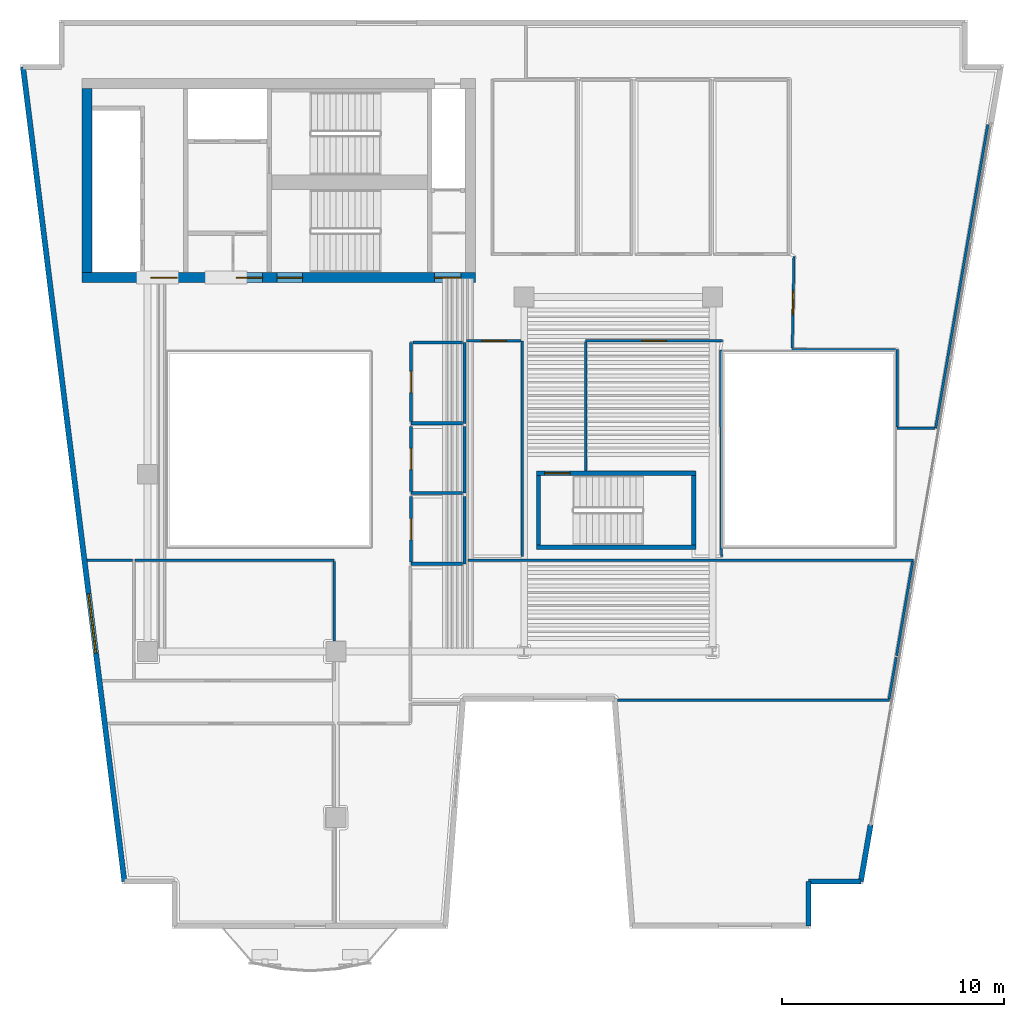
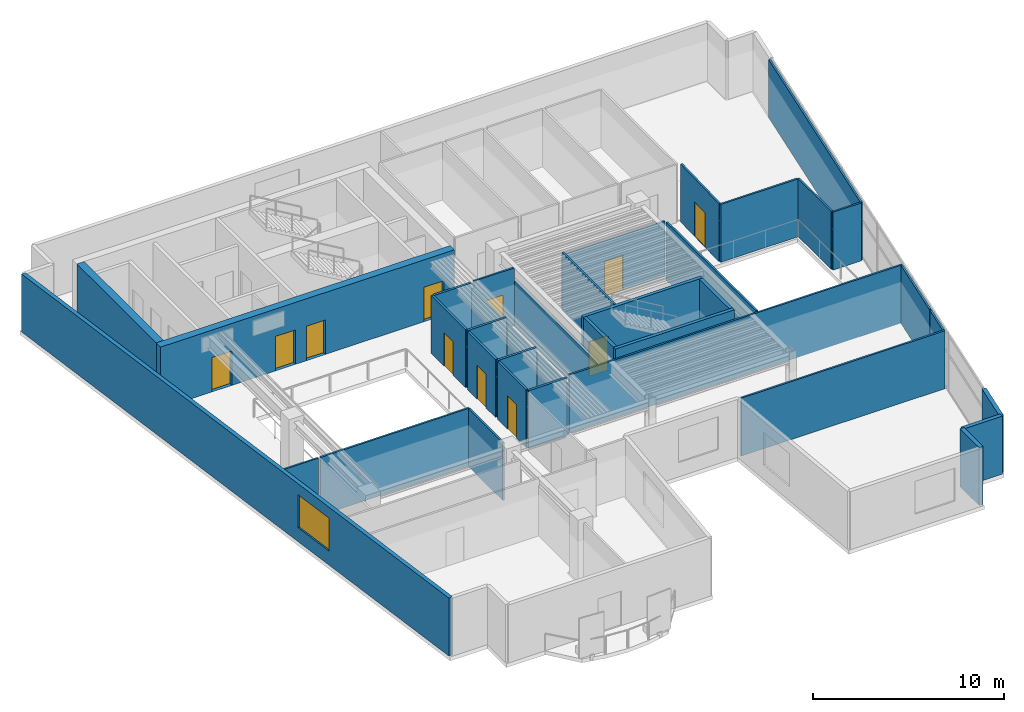
# One storey, part 4 of 9: 37 walls, 11 doors, 1 window, 12 openings.
"""IFC4 building model written with IfcOpenShell, lengths in metres."""

from ifc_helpers import new_model, si_unit, direction, frame, frame_2d, origin, place, context, subcontext, project, spatial, rectangle, extrude, material, layer, layer_set, type_object, element, fill, save


model = new_model("IFC4")

# Units and contexts
model_context = context("Model", 3, precision=1e-05, world=origin(), true_north=direction((0.0, 1.0)))
body_context = subcontext(model_context, "Body", "Model", "MODEL_VIEW")
ifc_project = project(units=[si_unit("LENGTHUNIT", "METRE"), si_unit("AREAUNIT", "SQUARE_METRE"), si_unit("VOLUMEUNIT", "CUBIC_METRE"), si_unit("PLANEANGLEUNIT", "RADIAN"), si_unit("MASSUNIT", "GRAM", prefix="KILO")], contexts=[model_context])

# Site, building, storey
site_placement = place(None, origin())
site = spatial("IfcSite", under=ifc_project, at=site_placement, CompositionType="ELEMENT")
building_placement = place(site_placement, origin())
building = spatial("IfcBuilding", under=site, at=building_placement, Name="Caeloran Harvest Quay", CompositionType="ELEMENT")
storey_placement = place(building_placement, frame((0.0, 0.0, 231.14990234375)))
storey = spatial("IfcBuildingStorey", under=building, at=storey_placement, Name="L55", CompositionType="ELEMENT", Elevation=231.14990234375)

# Wall, opening, window
ifc_material_1 = material(Name="Precast concrete C50/60", Category="concrete")
ifc_layer_1 = layer(ifc_material_1, 0.239990234375, Name="Precast concrete C50/60")
ifc_layer_set_1 = layer_set([ifc_layer_1], Name="Precast concrete C50/60")
wall_type_1 = type_object("IfcWallType", Name="ENV-WALL-EW-240", PredefinedType="STANDARD", material=ifc_layer_set_1)
wall_1_placement = place(storey_placement, frame((7.460205078125, 4.6201171875, 0.0), z_axis=(0.0, 0.0, 1.0), x_axis=(-0.123515576323, 0.992342633573, 0.0)))
wall_1 = element("IfcWall", 1, at=wall_1_placement, inside=storey, type_object=wall_type_1, Name="L55 Exterior Precast Concrete Facade Wall 3", PredefinedType="STANDARD", context=body_context, shape_type="SweptSolid", body=[
    extrude(rectangle(XDim=37.04345703125, YDim=0.239990234375, at=frame_2d((18.521728515625, 0.0))), origin(), (0.0, 0.0, 1.0), 3.7001953125),
])
opening_1_placement = place(wall_1_placement, frame((10.37939453125, 0.0, 0.89990234375)))
opening_1 = element("IfcOpeningElement", 2, at=opening_1_placement, cuts=wall_1, Name="Opening W-07", PredefinedType="OPENING", context=body_context, shape_type="SweptSolid", body=[
    extrude(rectangle(XDim=2.699951171875, YDim=2.10009765625, at=frame_2d((1.35009765625, 1.050048828125))), frame((0.0, 0.1298828125, 0.0), z_axis=(0.0, -1.0, 0.0), x_axis=(1.0, 0.0, 0.0)), (0.0, 0.0, 1.0), 0.260009765625),
])
ifc_material_2 = material(Name="Aluminium-Framed Low-E Laminated Glass", Category="aluminium")
window_type = type_object("IfcWindowType", Name="WIN-W-07", PartitioningType="DOUBLE_PANEL_VERTICAL", PredefinedType="WINDOW", material=ifc_material_2)
window_placement = place(opening_1_placement, origin())
window = element("IfcWindow", 3, at=window_placement, inside=storey, type_object=window_type, Name="L55 Facade Punched Window W-07", OverallHeight=2.10009765625, OverallWidth=2.699951171875, PartitioningType="DOUBLE_PANEL_VERTICAL", PredefinedType="WINDOW", context=body_context, shape_type="SweptSolid", body=[
    extrude(rectangle(XDim=2.699951171875, YDim=2.10009765625, at=frame_2d((1.35009765625, 1.050048828125))), frame((0.0, 0.030029296875, 0.0), z_axis=(0.0, -1.0, 0.0), x_axis=(1.0, 0.0, 0.0)), (0.0, 0.0, 1.0), 0.06005859375),
])
fill(opening_1, window)

# Walls
wall_2_placement = place(storey_placement, frame((41.135986328125, 7.182373046875, 0.0), z_axis=(0.0, 0.0, 1.0), x_axis=(-0.169315679152, -0.985561870606, 0.0)))
element("IfcWall", 4, at=wall_2_placement, inside=storey, type_object=wall_type_1, Name="L55 Exterior Facade Corner Pier Wall 9B", PredefinedType="STANDARD", context=body_context, shape_type="SweptSolid", body=[
    extrude(rectangle(XDim=2.599853515625, YDim=0.239990234375, at=frame_2d((1.2998046875, 0.0))), origin(), (0.0, 0.0, 1.0), 3.7001953125),
])
wall_3_placement = place(storey_placement, frame((40.69580078125, 4.6201171875, 0.0), z_axis=(0.0, 0.0, 1.0), x_axis=(-1.0, 0.0, 0.0)))
element("IfcWall", 5, at=wall_3_placement, inside=storey, type_object=wall_type_1, Name="L55 Exterior Precast Concrete Facade Wall 10", PredefinedType="STANDARD", context=body_context, shape_type="SweptSolid", body=[
    extrude(rectangle(XDim=2.36279296875, YDim=0.239990234375, at=frame_2d((1.181396484375, 0.0))), origin(), (0.0, 0.0, 1.0), 3.7001953125),
])
wall_4_placement = place(storey_placement, frame((38.3330078125, 4.6201171875, 0.0), z_axis=(0.0, 0.0, 1.0), x_axis=(0.0, -1.0, 0.0)))
element("IfcWall", 6, at=wall_4_placement, inside=storey, type_object=wall_type_1, Name="L55 Exterior Precast Concrete Facade Wall 11", PredefinedType="STANDARD", context=body_context, shape_type="SweptSolid", body=[
    extrude(rectangle(XDim=2.0, YDim=0.239990234375, at=frame_2d((1.0, 0.0))), origin(), (0.0, 0.0, 1.0), 3.7001953125),
])
ifc_material_3 = material(Name="Single-Stud Acoustic Gypsum Office Partition", Category="gypsum")
ifc_layer_2 = layer(ifc_material_3, 0.112060546875, Name="Single-Stud Acoustic Gypsum Office Partition")
ifc_layer_set_2 = layer_set([ifc_layer_2], Name="Single-Stud Acoustic Gypsum Office Partition")
wall_type_2 = type_object("IfcWallType", Name="INT-WALL-PW-112", PredefinedType="PARTITIONING", material=ifc_layer_set_2)
wall_5_placement = place(storey_placement, frame((41.9951171875, 12.800048828125, 0.0), z_axis=(0.0, 0.0, 1.0), x_axis=(-1.0, 0.0, 0.0)))
element("IfcWall", 7, at=wall_5_placement, inside=storey, type_object=wall_type_2, Name="Mediation Fireside Salon Lounge Partition Wall", PredefinedType="PARTITIONING", context=body_context, shape_type="SweptSolid", body=[
    extrude(rectangle(XDim=12.283935546875, YDim=0.112060546875, at=frame_2d((6.14208984375, 0.0))), origin(), (0.0, 0.0, 1.0), 3.7001953125),
])
wall_6_placement = place(storey_placement, frame((22.9599609375, 19.1201171875, 0.0), z_axis=(0.0, 0.0, 1.0), x_axis=(1.0, 0.0, 0.0)))
element("IfcWall", 8, at=wall_6_placement, inside=storey, type_object=wall_type_2, Name="Mediation Fireside Salon Lounge Partition Wall", PredefinedType="PARTITIONING", context=body_context, shape_type="SweptSolid", body=[
    extrude(rectangle(XDim=20.121337890625, YDim=0.112060546875, at=frame_2d((10.060546875, 0.0))), origin(), (0.0, 0.0, 1.0), 3.7001953125),
])
wall_7_placement = place(storey_placement, frame((43.035400390625, 19.05908203125, 0.0), z_axis=(0.0, 0.0, 1.0), x_axis=(-0.169391215599, -0.98554889076, 0.0)))
element("IfcWall", 9, at=wall_7_placement, inside=storey, type_object=wall_type_2, Name="Mediation Fireside Salon Lounge Partition Wall", PredefinedType="PARTITIONING", context=body_context, shape_type="SweptSolid", body=[
    extrude(rectangle(XDim=4.312255859375, YDim=0.112060546875, at=frame_2d((2.15625, 0.0))), origin(), (0.0, 0.0, 1.0), 3.7001953125),
])
wall_8_placement = place(storey_placement, frame((42.29345703125, 14.741943359375, 0.0), z_axis=(0.0, 0.0, 1.0), x_axis=(-0.169251422206, -0.985572907542, 0.0)))
element("IfcWall", 10, at=wall_8_placement, inside=storey, type_object=wall_type_2, Name="Mediation Fireside Salon Lounge Partition Wall", PredefinedType="PARTITIONING", context=body_context, shape_type="SweptSolid", body=[
    extrude(rectangle(XDim=1.908447265625, YDim=0.112060546875, at=frame_2d((0.9541015625, 0.0))), origin(), (0.0, 0.0, 1.0), 3.7001953125),
])
wall_9_placement = place(storey_placement, frame((5.78125, 19.1201171875, 0.0), z_axis=(0.0, 0.0, 1.0), x_axis=(1.0, 0.0, 0.0)))
element("IfcWall", 11, at=wall_9_placement, inside=storey, type_object=wall_type_2, Name="Witness Quiet Salon Lounge Partition Wall", PredefinedType="PARTITIONING", context=body_context, shape_type="SweptSolid", body=[
    extrude(rectangle(XDim=2.037841796875, YDim=0.112060546875, at=frame_2d((1.01904296875, 0.0))), origin(), (0.0, 0.0, 1.0), 3.7001953125),
])
wall_10_placement = place(storey_placement, frame((7.94091796875, 19.1201171875, 0.0), z_axis=(0.0, 0.0, 1.0), x_axis=(1.0, 0.0, 0.0)))
element("IfcWall", 12, at=wall_10_placement, inside=storey, type_object=wall_type_2, Name="Witness Quiet Salon Lounge Partition Wall", PredefinedType="PARTITIONING", context=body_context, shape_type="SweptSolid", body=[
    extrude(rectangle(XDim=8.97900390625, YDim=0.112060546875, at=frame_2d((4.489501953125, 0.0))), origin(), (0.0, 0.0, 1.0), 3.7001953125),
])
wall_11_placement = place(storey_placement, frame((16.919921875, 19.05908203125, 0.0), z_axis=(0.0, 0.0, 1.0), x_axis=(0.0, -1.0, 0.0)))
element("IfcWall", 13, at=wall_11_placement, inside=storey, type_object=wall_type_2, Name="Witness Quiet Salon Lounge Partition Wall", PredefinedType="PARTITIONING", context=body_context, shape_type="SweptSolid", body=[
    extrude(rectangle(XDim=3.583984375, YDim=0.112060546875, at=frame_2d((1.7919921875, 0.0))), origin(), (0.0, 0.0, 1.0), 3.7001953125),
])
wall_12_placement = place(storey_placement, frame((25.419921875, 29.02001953125, 0.0), z_axis=(0.0, 0.0, 1.0), x_axis=(0.0, -1.0, 0.0)))
element("IfcWall", 14, at=wall_12_placement, inside=storey, type_object=wall_type_2, Name="Hearing Preparation Lounge Partition Wall", PredefinedType="PARTITIONING", context=body_context, shape_type="SweptSolid", body=[
    extrude(rectangle(XDim=9.739990234375, YDim=0.112060546875, at=frame_2d((4.8701171875, 0.0))), origin(), (0.0, 0.0, 1.0), 2.885009765625),
])

# Wall, opening, door
wall_13_placement = place(storey_placement, frame((22.909912109375, 29.02001953125, 0.0), z_axis=(0.0, 0.0, 1.0), x_axis=(1.0, 0.0, 0.0)))
wall_13 = element("IfcWall", 15, at=wall_13_placement, inside=storey, type_object=wall_type_2, Name="Hearing Preparation Lounge Partition Wall", PredefinedType="PARTITIONING", context=body_context, shape_type="SweptSolid", body=[
    extrude(rectangle(XDim=2.448974609375, YDim=0.112060546875, at=frame_2d((1.224609375, 0.0))), origin(), (0.0, 0.0, 1.0), 3.7001953125),
])
opening_2_placement = place(wall_13_placement, frame((0.674560546875, 0.0, 0.0)))
opening_2 = element("IfcOpeningElement", 16, at=opening_2_placement, cuts=wall_13, Name="Opening ID-04", PredefinedType="OPENING", context=body_context, shape_type="SweptSolid", body=[
    extrude(rectangle(XDim=1.10009765625, YDim=2.199951171875, at=frame_2d((0.550048828125, 1.10009765625))), frame((0.0, 0.06591796875, 0.0), z_axis=(0.0, -1.0, 0.0), x_axis=(1.0, 0.0, 0.0)), (0.0, 0.0, 1.0), 0.132080078125),
])
ifc_material_4 = material(Name="Acoustic Walnut Veneer Executive Door", Category="wood")
door_type_1 = type_object("IfcDoorType", Name="INTDOOR-ID-04", OperationType="NOTDEFINED", PredefinedType="DOOR", material=ifc_material_4)
door_1_placement = place(opening_2_placement, origin())
door_1 = element("IfcDoor", 17, at=door_1_placement, inside=storey, type_object=door_type_1, Name="Hearing Preparation Lounge Access Door", OperationType="SINGLE_SWING_RIGHT", OverallHeight=2.199951171875, OverallWidth=1.10009765625, PredefinedType="DOOR", context=body_context, shape_type="SweptSolid", body=[
    extrude(rectangle(XDim=1.10009765625, YDim=2.199951171875, at=frame_2d((0.550048828125, 1.10009765625))), frame((0.0, 0.02490234375, 0.0), z_axis=(0.0, -1.0, 0.0), x_axis=(1.0, 0.0, 0.0)), (0.0, 0.0, 1.0), 0.050048828125),
])
fill(opening_2, door_1)

wall_14_placement = place(storey_placement, frame((28.280029296875, 29.02001953125, 0.0), z_axis=(0.0, 0.0, 1.0), x_axis=(1.0, 0.0, 0.0)))
wall_14 = element("IfcWall", 18, at=wall_14_placement, inside=storey, type_object=wall_type_2, Name="Evidence Forensics Wet Laboratory Partition Wall", PredefinedType="PARTITIONING", context=body_context, shape_type="SweptSolid", body=[
    extrude(rectangle(XDim=6.171875, YDim=0.112060546875, at=frame_2d((3.0859375, 0.0))), origin(), (0.0, 0.0, 1.0), 3.485107421875),
])
opening_3_placement = place(wall_14_placement, frame((2.535888671875, 0.0, 0.0)))
opening_3 = element("IfcOpeningElement", 19, at=opening_3_placement, cuts=wall_14, Name="Opening ID-04", PredefinedType="OPENING", context=body_context, shape_type="SweptSolid", body=[
    extrude(rectangle(XDim=1.10009765625, YDim=2.199951171875, at=frame_2d((0.550048828125, 1.10009765625))), frame((0.0, 0.06591796875, 0.0), z_axis=(0.0, -1.0, 0.0), x_axis=(1.0, 0.0, 0.0)), (0.0, 0.0, 1.0), 0.132080078125),
])
door_2_placement = place(opening_3_placement, origin())
door_2 = element("IfcDoor", 20, at=door_2_placement, inside=storey, type_object=door_type_1, Name="Evidence Forensics Wet Laboratory Access Door", OperationType="SINGLE_SWING_LEFT", OverallHeight=2.199951171875, OverallWidth=1.10009765625, PredefinedType="DOOR", context=body_context, shape_type="SweptSolid", body=[
    extrude(rectangle(XDim=1.10009765625, YDim=2.199951171875, at=frame_2d((0.550048828125, 1.10009765625))), frame((0.0, 0.02490234375, 0.0), z_axis=(0.0, -1.0, 0.0), x_axis=(1.0, 0.0, 0.0)), (0.0, 0.0, 1.0), 0.050048828125),
])
fill(opening_3, door_2)

# Walls
wall_15_placement = place(storey_placement, frame((34.3701171875, 28.60009765625, 0.0), z_axis=(0.0, 0.0, 1.0), x_axis=(0.004060215387, -0.999991757292, 0.0)))
element("IfcWall", 21, at=wall_15_placement, inside=storey, type_object=wall_type_2, Name="Evidence Forensics Wet Laboratory Partition Wall", PredefinedType="PARTITIONING", context=body_context, shape_type="SweptSolid", body=[
    extrude(rectangle(XDim=9.320068359375, YDim=0.112060546875, at=frame_2d((4.66015625, 0.0))), origin(), (0.0, 0.0, 1.0), 3.7001953125),
])
wall_16_placement = place(storey_placement, frame((28.280029296875, 23.155029296875, 0.0), z_axis=(0.0, 0.0, 1.0), x_axis=(0.0, 1.0, 0.0)))
element("IfcWall", 22, at=wall_16_placement, inside=storey, type_object=wall_type_2, Name="Evidence Forensics Wet Laboratory Partition Wall", PredefinedType="PARTITIONING", context=body_context, shape_type="SweptSolid", body=[
    extrude(rectangle(XDim=5.803955078125, YDim=0.112060546875, at=frame_2d((2.90185546875, 0.0))), origin(), (0.0, 0.0, 1.0), 3.7001953125),
])
wall_17_placement = place(storey_placement, frame((46.424560546875, 38.777099609375, 0.0), z_axis=(0.0, 0.0, 1.0), x_axis=(-0.169413343695, -0.985545087238, 0.0)))
element("IfcWall", 23, at=wall_17_placement, inside=storey, type_object=wall_type_2, Name="Digital Exhibit Archive Store Partition Wall", PredefinedType="PARTITIONING", context=body_context, shape_type="SweptSolid", body=[
    extrude(rectangle(XDim=13.89794921875, YDim=0.112060546875, at=frame_2d((6.948974609375, 0.0))), origin(), (0.0, 0.0, 1.0), 3.7001953125),
])
wall_18_placement = place(storey_placement, frame((44.04052734375, 25.080078125, 0.0), z_axis=(0.0, 0.0, 1.0), x_axis=(-1.0, 0.0, 0.0)))
element("IfcWall", 24, at=wall_18_placement, inside=storey, type_object=wall_type_2, Name="Digital Exhibit Archive Store Partition Wall", PredefinedType="PARTITIONING", context=body_context, shape_type="SweptSolid", body=[
    extrude(rectangle(XDim=1.71044921875, YDim=0.112060546875, at=frame_2d((0.855224609375, 0.0))), origin(), (0.0, 0.0, 1.0), 3.7001953125),
])
wall_19_placement = place(storey_placement, frame((42.330078125, 25.14111328125, 0.0), z_axis=(0.0, 0.0, 1.0), x_axis=(0.0, 1.0, 0.0)))
element("IfcWall", 25, at=wall_19_placement, inside=storey, type_object=wall_type_2, Name="Digital Exhibit Archive Store Partition Wall", PredefinedType="PARTITIONING", context=body_context, shape_type="SweptSolid", body=[
    extrude(rectangle(XDim=3.48876953125, YDim=0.112060546875, at=frame_2d((1.744384765625, 0.0))), origin(), (0.0, 0.0, 1.0), 3.7001953125),
])
wall_20_placement = place(storey_placement, frame((42.26904296875, 28.6298828125, 0.0), z_axis=(0.0, 0.0, 1.0), x_axis=(-1.0, 0.0, 0.0)))
element("IfcWall", 26, at=wall_20_placement, inside=storey, type_object=wall_type_2, Name="Digital Exhibit Archive Store Partition Wall", PredefinedType="PARTITIONING", context=body_context, shape_type="SweptSolid", body=[
    extrude(rectangle(XDim=4.671142578125, YDim=0.112060546875, at=frame_2d((2.33544921875, 0.0))), origin(), (0.0, 0.0, 1.0), 3.7001953125),
])

# Wall, opening, door
wall_21_placement = place(storey_placement, frame((37.59912109375, 28.69091796875, 0.0), z_axis=(0.0, 0.0, 1.0), x_axis=(0.019566997539, 0.999808547977, 0.0)))
wall_21 = element("IfcWall", 27, at=wall_21_placement, inside=storey, type_object=wall_type_2, Name="Digital Exhibit Archive Store Partition Wall", PredefinedType="PARTITIONING", context=body_context, shape_type="SweptSolid", body=[
    extrude(rectangle(XDim=4.1298828125, YDim=0.112060546875, at=frame_2d((2.06494140625, 0.0))), origin(), (0.0, 0.0, 1.0), 3.7001953125),
])
opening_4_placement = place(wall_21_placement, frame((1.514892578125, 0.0, 0.0)))
opening_4 = element("IfcOpeningElement", 28, at=opening_4_placement, cuts=wall_21, Name="Opening ID-04", PredefinedType="OPENING", context=body_context, shape_type="SweptSolid", body=[
    extrude(rectangle(XDim=1.10009765625, YDim=2.199951171875, at=frame_2d((0.550048828125, 1.10009765625))), frame((0.0, 0.06591796875, 0.0), z_axis=(0.0, -1.0, 0.0), x_axis=(1.0, 0.0, 0.0)), (0.0, 0.0, 1.0), 0.132080078125),
])
door_3_placement = place(opening_4_placement, origin())
door_3 = element("IfcDoor", 29, at=door_3_placement, inside=storey, type_object=door_type_1, Name="Digital Exhibit Archive Store Access Door", OperationType="SINGLE_SWING_RIGHT", OverallHeight=2.199951171875, OverallWidth=1.10009765625, PredefinedType="DOOR", context=body_context, shape_type="SweptSolid", body=[
    extrude(rectangle(XDim=1.10009765625, YDim=2.199951171875, at=frame_2d((0.550048828125, 1.10009765625))), frame((0.0, 0.02490234375, 0.0), z_axis=(0.0, -1.0, 0.0), x_axis=(1.0, 0.0, 0.0)), (0.0, 0.0, 1.0), 0.050048828125),
])
fill(opening_4, door_3)

# Walls
ifc_material_5 = material(Name="Moisture-Resistant Cement-Board Sanitary Partition", Category="gypsum")
ifc_layer_3 = layer(ifc_material_5, 0.139892578125, Name="Moisture-Resistant Cement-Board Sanitary Partition")
ifc_layer_set_3 = layer_set([ifc_layer_3], Name="Moisture-Resistant Cement-Board Sanitary Partition")
wall_type_3 = type_object("IfcWallType", Name="INT-WALL-PW-140", PredefinedType="PARTITIONING", material=ifc_layer_set_3)
wall_22_placement = place(storey_placement, frame((22.800048828125, 28.949951171875, 0.0), z_axis=(0.0, 0.0, 1.0), x_axis=(0.0, -1.0, 0.0)))
element("IfcWall", 30, at=wall_22_placement, inside=storey, type_object=wall_type_3, Name="L55 Male Washroom WC Partition Wall", PredefinedType="PARTITIONING", context=body_context, shape_type="SweptSolid", body=[
    extrude(rectangle(XDim=3.64990234375, YDim=0.139892578125, at=frame_2d((1.824951171875, 0.0))), origin(), (0.0, 0.0, 1.0), 3.28515625),
])
wall_23_placement = place(storey_placement, frame((22.72509765625, 25.300048828125, 0.0), z_axis=(0.0, 0.0, 1.0), x_axis=(-1.0, 0.0, 0.0)))
element("IfcWall", 31, at=wall_23_placement, inside=storey, type_object=wall_type_3, Name="L55 Male Washroom WC Partition Wall", PredefinedType="PARTITIONING", context=body_context, shape_type="SweptSolid", body=[
    extrude(rectangle(XDim=2.3251953125, YDim=0.139892578125, at=frame_2d((1.16259765625, 0.0))), origin(), (0.0, 0.0, 1.0), 3.7001953125),
])

# Wall, opening, door
wall_24_placement = place(storey_placement, frame((20.39990234375, 25.375, 0.0), z_axis=(0.0, 0.0, 1.0), x_axis=(0.0, 1.0, 0.0)))
wall_24 = element("IfcWall", 32, at=wall_24_placement, inside=storey, type_object=wall_type_3, Name="L55 Male Washroom WC Partition Wall", PredefinedType="PARTITIONING", context=body_context, shape_type="SweptSolid", body=[
    extrude(rectangle(XDim=3.574951171875, YDim=0.139892578125, at=frame_2d((1.78759765625, 0.0))), origin(), (0.0, 0.0, 1.0), 3.7001953125),
])
opening_5_placement = place(wall_24_placement, frame((1.3125, 0.0, 0.0)))
opening_5 = element("IfcOpeningElement", 33, at=opening_5_placement, cuts=wall_24, Name="Opening WC-01", PredefinedType="OPENING", context=body_context, shape_type="SweptSolid", body=[
    extrude(rectangle(XDim=0.949951171875, YDim=2.14990234375, at=frame_2d((0.47509765625, 1.074951171875))), frame((0.0, 0.080078125, 0.0), z_axis=(0.0, -1.0, 0.0), x_axis=(1.0, 0.0, 0.0)), (0.0, 0.0, 1.0), 0.159912109375),
])
ifc_material_6 = material(Name="High-Pressure Laminate Moisture-Resistant Timber", Category="wood")
door_type_2 = type_object("IfcDoorType", Name="INTDOOR-WC-01", OperationType="NOTDEFINED", PredefinedType="DOOR", material=ifc_material_6)
door_4_placement = place(opening_5_placement, origin())
door_4 = element("IfcDoor", 34, at=door_4_placement, inside=storey, type_object=door_type_2, Name="L55 Male Washroom WC Access Door", OperationType="SINGLE_SWING_LEFT", OverallHeight=2.14990234375, OverallWidth=0.949951171875, PredefinedType="DOOR", context=body_context, shape_type="SweptSolid", body=[
    extrude(rectangle(XDim=0.949951171875, YDim=2.14990234375, at=frame_2d((0.47509765625, 1.074951171875))), frame((0.0, 0.02490234375, 0.0), z_axis=(0.0, -1.0, 0.0), x_axis=(1.0, 0.0, 0.0)), (0.0, 0.0, 1.0), 0.050048828125),
])
fill(opening_5, door_4)

# Walls
wall_25_placement = place(storey_placement, frame((20.47509765625, 28.949951171875, 0.0), z_axis=(0.0, 0.0, 1.0), x_axis=(1.0, 0.0, 0.0)))
element("IfcWall", 35, at=wall_25_placement, inside=storey, type_object=wall_type_3, Name="L55 Male Washroom WC Partition Wall", PredefinedType="PARTITIONING", context=body_context, shape_type="SweptSolid", body=[
    extrude(rectangle(XDim=2.25, YDim=0.139892578125, at=frame_2d((1.125, 0.0))), origin(), (0.0, 0.0, 1.0), 3.7001953125),
])
wall_26_placement = place(storey_placement, frame((22.800048828125, 25.14990234375, 0.0), z_axis=(0.0, 0.0, 1.0), x_axis=(0.0, -1.0, 0.0)))
element("IfcWall", 36, at=wall_26_placement, inside=storey, type_object=wall_type_3, Name="L55 Female Washroom WC Partition Wall", PredefinedType="PARTITIONING", context=body_context, shape_type="SweptSolid", body=[
    extrude(rectangle(XDim=3.0, YDim=0.139892578125, at=frame_2d((1.5, 0.0))), origin(), (0.0, 0.0, 1.0), 3.28515625),
])
wall_27_placement = place(storey_placement, frame((22.72509765625, 22.14990234375, 0.0), z_axis=(0.0, 0.0, 1.0), x_axis=(-1.0, 0.0, 0.0)))
element("IfcWall", 37, at=wall_27_placement, inside=storey, type_object=wall_type_3, Name="L55 Female Washroom WC Partition Wall", PredefinedType="PARTITIONING", context=body_context, shape_type="SweptSolid", body=[
    extrude(rectangle(XDim=2.3251953125, YDim=0.139892578125, at=frame_2d((1.16259765625, 0.0))), origin(), (0.0, 0.0, 1.0), 3.7001953125),
])

# Wall, opening, door
wall_28_placement = place(storey_placement, frame((20.39990234375, 22.22509765625, 0.0), z_axis=(0.0, 0.0, 1.0), x_axis=(0.0, 1.0, 0.0)))
wall_28 = element("IfcWall", 38, at=wall_28_placement, inside=storey, type_object=wall_type_3, Name="L55 Female Washroom WC Partition Wall", PredefinedType="PARTITIONING", context=body_context, shape_type="SweptSolid", body=[
    extrude(rectangle(XDim=2.9248046875, YDim=0.139892578125, at=frame_2d((1.46240234375, 0.0))), origin(), (0.0, 0.0, 1.0), 3.7001953125),
])
opening_6_placement = place(wall_28_placement, frame((0.987548828125, 0.0, 0.0)))
opening_6 = element("IfcOpeningElement", 39, at=opening_6_placement, cuts=wall_28, Name="Opening WC-01", PredefinedType="OPENING", context=body_context, shape_type="SweptSolid", body=[
    extrude(rectangle(XDim=0.949951171875, YDim=2.14990234375, at=frame_2d((0.47509765625, 1.074951171875))), frame((0.0, 0.080078125, 0.0), z_axis=(0.0, -1.0, 0.0), x_axis=(1.0, 0.0, 0.0)), (0.0, 0.0, 1.0), 0.159912109375),
])
door_5_placement = place(opening_6_placement, origin())
door_5 = element("IfcDoor", 40, at=door_5_placement, inside=storey, type_object=door_type_2, Name="L55 Female Washroom WC Access Door", OperationType="SINGLE_SWING_RIGHT", OverallHeight=2.14990234375, OverallWidth=0.949951171875, PredefinedType="DOOR", context=body_context, shape_type="SweptSolid", body=[
    extrude(rectangle(XDim=0.949951171875, YDim=2.14990234375, at=frame_2d((0.47509765625, 1.074951171875))), frame((0.0, 0.02490234375, 0.0), z_axis=(0.0, -1.0, 0.0), x_axis=(1.0, 0.0, 0.0)), (0.0, 0.0, 1.0), 0.050048828125),
])
fill(opening_6, door_5)

# Walls
wall_29_placement = place(storey_placement, frame((22.800048828125, 22.0, 0.0), z_axis=(0.0, 0.0, 1.0), x_axis=(0.0, -1.0, 0.0)))
element("IfcWall", 41, at=wall_29_placement, inside=storey, type_object=wall_type_3, Name="L55 Accessible Unisex Washroom WC Partition Wall", PredefinedType="PARTITIONING", context=body_context, shape_type="SweptSolid", body=[
    extrude(rectangle(XDim=3.0400390625, YDim=0.139892578125, at=frame_2d((1.52001953125, 0.0))), origin(), (0.0, 0.0, 1.0), 3.28515625),
])
wall_30_placement = place(storey_placement, frame((22.72509765625, 18.9599609375, 0.0), z_axis=(0.0, 0.0, 1.0), x_axis=(-1.0, 0.0, 0.0)))
element("IfcWall", 42, at=wall_30_placement, inside=storey, type_object=wall_type_3, Name="L55 Accessible Unisex Washroom WC Partition Wall", PredefinedType="PARTITIONING", context=body_context, shape_type="SweptSolid", body=[
    extrude(rectangle(XDim=2.3251953125, YDim=0.139892578125, at=frame_2d((1.16259765625, 0.0))), origin(), (0.0, 0.0, 1.0), 3.7001953125),
])

# Wall, opening, door
wall_31_placement = place(storey_placement, frame((20.39990234375, 19.034912109375, 0.0), z_axis=(0.0, 0.0, 1.0), x_axis=(0.0, 1.0, 0.0)))
wall_31 = element("IfcWall", 43, at=wall_31_placement, inside=storey, type_object=wall_type_3, Name="L55 Accessible Unisex Washroom WC Partition Wall", PredefinedType="PARTITIONING", context=body_context, shape_type="SweptSolid", body=[
    extrude(rectangle(XDim=2.965087890625, YDim=0.139892578125, at=frame_2d((1.482421875, 0.0))), origin(), (0.0, 0.0, 1.0), 3.7001953125),
])
opening_7_placement = place(wall_31_placement, frame((1.007568359375, 0.0, 0.0)))
opening_7 = element("IfcOpeningElement", 44, at=opening_7_placement, cuts=wall_31, Name="Opening WC-01", PredefinedType="OPENING", context=body_context, shape_type="SweptSolid", body=[
    extrude(rectangle(XDim=0.949951171875, YDim=2.14990234375, at=frame_2d((0.47509765625, 1.074951171875))), frame((0.0, 0.080078125, 0.0), z_axis=(0.0, -1.0, 0.0), x_axis=(1.0, 0.0, 0.0)), (0.0, 0.0, 1.0), 0.159912109375),
])
door_6_placement = place(opening_7_placement, origin())
door_6 = element("IfcDoor", 45, at=door_6_placement, inside=storey, type_object=door_type_2, Name="L55 Accessible Unisex Washroom WC Access Door", OperationType="SINGLE_SWING_LEFT", OverallHeight=2.14990234375, OverallWidth=0.949951171875, PredefinedType="DOOR", context=body_context, shape_type="SweptSolid", body=[
    extrude(rectangle(XDim=0.949951171875, YDim=2.14990234375, at=frame_2d((0.47509765625, 1.074951171875))), frame((0.0, 0.02490234375, 0.0), z_axis=(0.0, -1.0, 0.0), x_axis=(1.0, 0.0, 0.0)), (0.0, 0.0, 1.0), 0.050048828125),
])
fill(opening_7, door_6)

# Wall, openings, doors
ifc_material_7 = material(Name="Concrete C60/75", Category="concrete")
ifc_layer_4 = layer(ifc_material_7, 0.449951171875, Name="Concrete C60/75")
ifc_layer_set_4 = layer_set([ifc_layer_4], Name="Concrete C60/75")
wall_type_4 = type_object("IfcWallType", Name="STR-WALL-CW-450", PredefinedType="SHEAR", material=ifc_layer_set_4)
wall_32_placement = place(storey_placement, frame((5.550048828125, 31.875, 0.0), z_axis=(0.0, 0.0, 1.0), x_axis=(1.0, 0.0, 0.0)))
wall_32 = element("IfcWall", 46, at=wall_32_placement, inside=storey, type_object=wall_type_4, Name="L55 Rear Core Shear Wall S", PredefinedType="SHEAR", context=body_context, shape_type="SweptSolid", body=[
    extrude(rectangle(XDim=17.75, YDim=0.449951171875, at=frame_2d((8.875, 0.0))), origin(), (0.0, 0.0, 1.0), 3.9501953125),
])
opening_8_placement = place(wall_32_placement, frame((3.10009765625, 0.0, 0.0)))
opening_8 = element("IfcOpeningElement", 47, at=opening_8_placement, cuts=wall_32, Name="Opening FD-01", PredefinedType="OPENING", context=body_context, shape_type="SweptSolid", body=[
    extrude(rectangle(XDim=1.199951171875, YDim=2.199951171875, at=frame_2d((0.60009765625, 1.10009765625))), frame((0.0, 0.23486328125, 0.0), z_axis=(0.0, -1.0, 0.0), x_axis=(1.0, 0.0, 0.0)), (0.0, 0.0, 1.0), 0.469970703125),
])
opening_9_placement = place(wall_32_placement, frame((6.949951171875, 0.0, 0.0)))
opening_9 = element("IfcOpeningElement", 48, at=opening_9_placement, cuts=wall_32, Name="Opening FD-01", PredefinedType="OPENING", context=body_context, shape_type="SweptSolid", body=[
    extrude(rectangle(XDim=1.199951171875, YDim=2.199951171875, at=frame_2d((0.60009765625, 1.10009765625))), frame((0.0, 0.23486328125, 0.0), z_axis=(0.0, -1.0, 0.0), x_axis=(1.0, 0.0, 0.0)), (0.0, 0.0, 1.0), 0.469970703125),
])
opening_10_placement = place(wall_32_placement, frame((8.800048828125, 0.0, 0.0)))
opening_10 = element("IfcOpeningElement", 49, at=opening_10_placement, cuts=wall_32, Name="Opening SD-01", PredefinedType="OPENING", context=body_context, shape_type="SweptSolid", body=[
    extrude(rectangle(XDim=1.14990234375, YDim=2.199951171875, at=frame_2d((0.574951171875, 1.10009765625))), frame((0.0, 0.23486328125, 0.0), z_axis=(0.0, -1.0, 0.0), x_axis=(1.0, 0.0, 0.0)), (0.0, 0.0, 1.0), 0.469970703125),
])
opening_11_placement = place(wall_32_placement, frame((15.89990234375, 0.0, 0.0)))
opening_11 = element("IfcOpeningElement", 50, at=opening_11_placement, cuts=wall_32, Name="Opening FD-01", PredefinedType="OPENING", context=body_context, shape_type="SweptSolid", body=[
    extrude(rectangle(XDim=1.199951171875, YDim=2.199951171875, at=frame_2d((0.60009765625, 1.10009765625))), frame((0.0, 0.23486328125, 0.0), z_axis=(0.0, -1.0, 0.0), x_axis=(1.0, 0.0, 0.0)), (0.0, 0.0, 1.0), 0.469970703125),
])
ifc_material_8 = material(Name="Steel", Category="steel")
door_type_3 = type_object("IfcDoorType", Name="INTDOOR-FD-01", OperationType="NOTDEFINED", PredefinedType="DOOR", material=ifc_material_8)
door_7_placement = place(opening_8_placement, origin())
door_7 = element("IfcDoor", 51, at=door_7_placement, inside=storey, type_object=door_type_3, Name="L55 High-Rise Lift Lobby Fire Door", OperationType="SINGLE_SWING_LEFT", OverallHeight=2.199951171875, OverallWidth=1.199951171875, PredefinedType="DOOR", context=body_context, shape_type="SweptSolid", body=[
    extrude(rectangle(XDim=1.199951171875, YDim=2.199951171875, at=frame_2d((0.60009765625, 1.10009765625))), frame((0.0, 0.02490234375, 0.0), z_axis=(0.0, -1.0, 0.0), x_axis=(1.0, 0.0, 0.0)), (0.0, 0.0, 1.0), 0.050048828125),
])
fill(opening_8, door_7)
door_8_placement = place(opening_9_placement, origin())
door_8 = element("IfcDoor", 52, at=door_8_placement, inside=storey, type_object=door_type_3, Name="L55 Firefighting Lobby Vestibule Fire Door", OperationType="SINGLE_SWING_RIGHT", OverallHeight=2.199951171875, OverallWidth=1.199951171875, PredefinedType="DOOR", context=body_context, shape_type="SweptSolid", body=[
    extrude(rectangle(XDim=1.199951171875, YDim=2.199951171875, at=frame_2d((0.60009765625, 1.10009765625))), frame((0.0, 0.02490234375, 0.0), z_axis=(0.0, -1.0, 0.0), x_axis=(1.0, 0.0, 0.0)), (0.0, 0.0, 1.0), 0.050048828125),
])
fill(opening_9, door_8)
door_9_placement = place(opening_11_placement, origin())
door_9 = element("IfcDoor", 53, at=door_9_placement, inside=storey, type_object=door_type_3, Name="L55 Service Lift Lobby Fire Door", OperationType="SINGLE_SWING_RIGHT", OverallHeight=2.199951171875, OverallWidth=1.199951171875, PredefinedType="DOOR", context=body_context, shape_type="SweptSolid", body=[
    extrude(rectangle(XDim=1.199951171875, YDim=2.199951171875, at=frame_2d((0.60009765625, 1.10009765625))), frame((0.0, 0.02490234375, 0.0), z_axis=(0.0, -1.0, 0.0), x_axis=(1.0, 0.0, 0.0)), (0.0, 0.0, 1.0), 0.050048828125),
])
fill(opening_11, door_9)
door_type_4 = type_object("IfcDoorType", Name="INTDOOR-SD-01", OperationType="NOTDEFINED", PredefinedType="DOOR", material=ifc_material_8)
door_10_placement = place(opening_10_placement, origin())
door_10 = element("IfcDoor", 54, at=door_10_placement, inside=storey, type_object=door_type_4, Name="L55 Protected Stair ST-C2 Exit Door", OperationType="SINGLE_SWING_LEFT", OverallHeight=2.199951171875, OverallWidth=1.14990234375, PredefinedType="DOOR", context=body_context, shape_type="SweptSolid", body=[
    extrude(rectangle(XDim=1.14990234375, YDim=2.199951171875, at=frame_2d((0.574951171875, 1.10009765625))), frame((0.0, 0.02490234375, 0.0), z_axis=(0.0, -1.0, 0.0), x_axis=(1.0, 0.0, 0.0)), (0.0, 0.0, 1.0), 0.050048828125),
])
fill(opening_10, door_10)

# Walls
wall_33_placement = place(storey_placement, frame((5.77490234375, 32.10009765625, 0.0), z_axis=(0.0, 0.0, 1.0), x_axis=(0.0, 1.0, 0.0)))
element("IfcWall", 55, at=wall_33_placement, inside=storey, type_object=wall_type_4, Name="L55 Rear Core Shear Wall W", PredefinedType="SHEAR", context=body_context, shape_type="SweptSolid", body=[
    extrude(rectangle(XDim=8.2998046875, YDim=0.449951171875, at=frame_2d((4.14990234375, 0.0))), origin(), (0.0, 0.0, 1.0), 3.9501953125),
])
ifc_layer_5 = layer(ifc_material_7, 0.199951171875, Name="Concrete C60/75")
ifc_layer_set_5 = layer_set([ifc_layer_5], Name="Concrete C60/75")
wall_type_5 = type_object("IfcWallType", Name="STR-WALL-SW-200", PredefinedType="SHEAR", material=ifc_layer_set_5)
wall_34_placement = place(storey_placement, frame((26.050048828125, 19.699951171875, 0.0), z_axis=(0.0, 0.0, 1.0), x_axis=(1.0, 0.0, 0.0)))
element("IfcWall", 56, at=wall_34_placement, inside=storey, type_object=wall_type_5, Name="L55 Stair ST-W1 S RC Shaft Shear Wall", PredefinedType="SHEAR", context=body_context, shape_type="SweptSolid", body=[
    extrude(rectangle(XDim=7.199951171875, YDim=0.199951171875, at=frame_2d((3.60009765625, 0.0))), origin(), (0.0, 0.0, 1.0), 3.9501953125),
])

# Wall, opening, door
wall_35_placement = place(storey_placement, frame((26.050048828125, 23.050048828125, 0.0), z_axis=(0.0, 0.0, 1.0), x_axis=(1.0, 0.0, 0.0)))
wall_35 = element("IfcWall", 57, at=wall_35_placement, inside=storey, type_object=wall_type_5, Name="L55 Stair ST-W1 N RC Shaft Shear Wall", PredefinedType="SHEAR", context=body_context, shape_type="SweptSolid", body=[
    extrude(rectangle(XDim=7.199951171875, YDim=0.199951171875, at=frame_2d((3.60009765625, 0.0))), origin(), (0.0, 0.0, 1.0), 3.9501953125),
])
opening_12_placement = place(wall_35_placement, frame((0.3798828125, 0.0, 0.0)))
opening_12 = element("IfcOpeningElement", 58, at=opening_12_placement, cuts=wall_35, Name="Opening SD-01", PredefinedType="OPENING", context=body_context, shape_type="SweptSolid", body=[
    extrude(rectangle(XDim=1.14990234375, YDim=2.199951171875, at=frame_2d((0.574951171875, 1.10009765625))), frame((0.0, 0.10986328125, 0.0), z_axis=(0.0, -1.0, 0.0), x_axis=(1.0, 0.0, 0.0)), (0.0, 0.0, 1.0), 0.219970703125),
])
door_11_placement = place(opening_12_placement, origin())
door_11 = element("IfcDoor", 59, at=door_11_placement, inside=storey, type_object=door_type_4, Name="L55 Protected Exit Stair ST-W1 Fire Door", OperationType="SINGLE_SWING_RIGHT", OverallHeight=2.199951171875, OverallWidth=1.14990234375, PredefinedType="DOOR", context=body_context, shape_type="SweptSolid", body=[
    extrude(rectangle(XDim=1.14990234375, YDim=2.199951171875, at=frame_2d((0.574951171875, 1.10009765625))), frame((0.0, 0.02490234375, 0.0), z_axis=(0.0, -1.0, 0.0), x_axis=(1.0, 0.0, 0.0)), (0.0, 0.0, 1.0), 0.050048828125),
])
fill(opening_12, door_11)

# Walls
for number, where, z_axis, x_axis, name in (
    (60, (26.14990234375, 19.81005859375, 0.0), (0.0, 0.0, 1.0), (0.0, 1.0, 0.0), "L55 Stair ST-W1 W RC Shaft Shear Wall"),
    (61, (33.14990234375, 19.81005859375, 0.0), (0.0, 0.0, 1.0), (0.0, 1.0, 0.0), "L55 Stair ST-W1 E RC Shaft Shear Wall"),
):
    element("IfcWall", number, at=place(storey_placement, frame(where, z_axis=z_axis, x_axis=x_axis)), inside=storey, type_object=wall_type_5, Name=name, PredefinedType="SHEAR", context=body_context, shape_type="SweptSolid", body=[
        extrude(rectangle(XDim=3.1298828125, YDim=0.199951171875, at=frame_2d((1.56494140625, 0.0))), origin(), (0.0, 0.0, 1.0), 3.9501953125),
    ])

save(model, "model.ifc")
